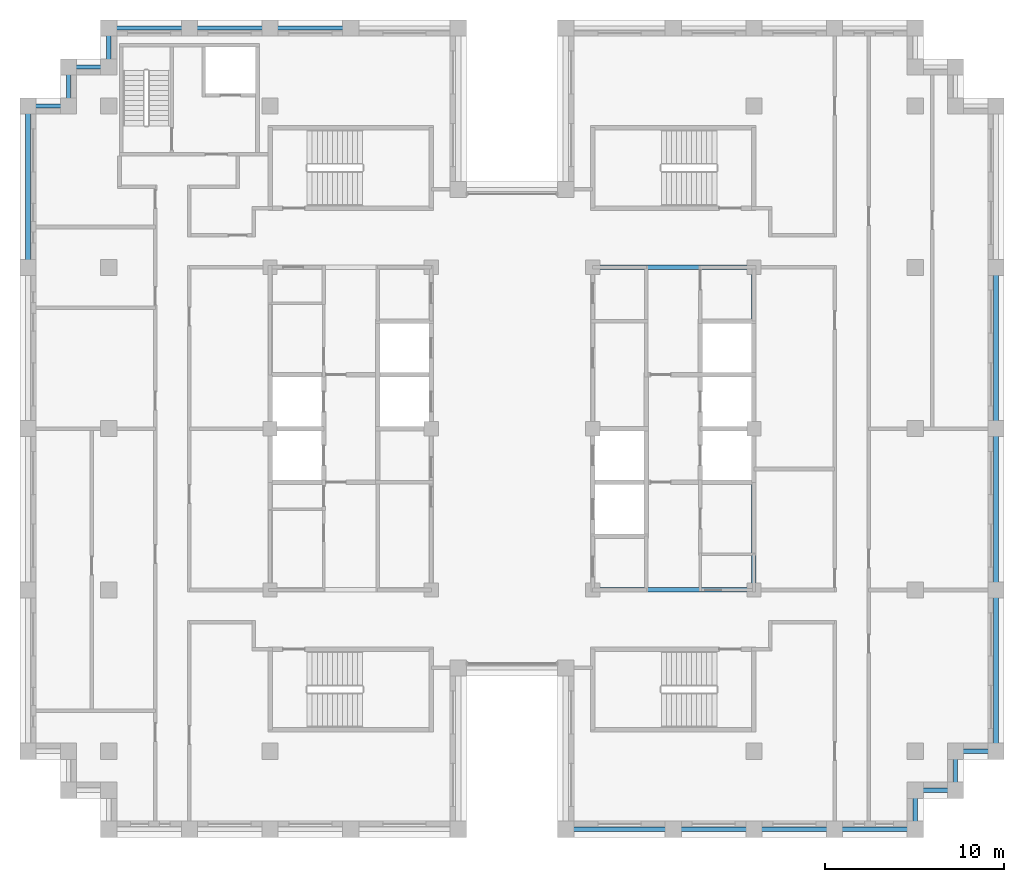
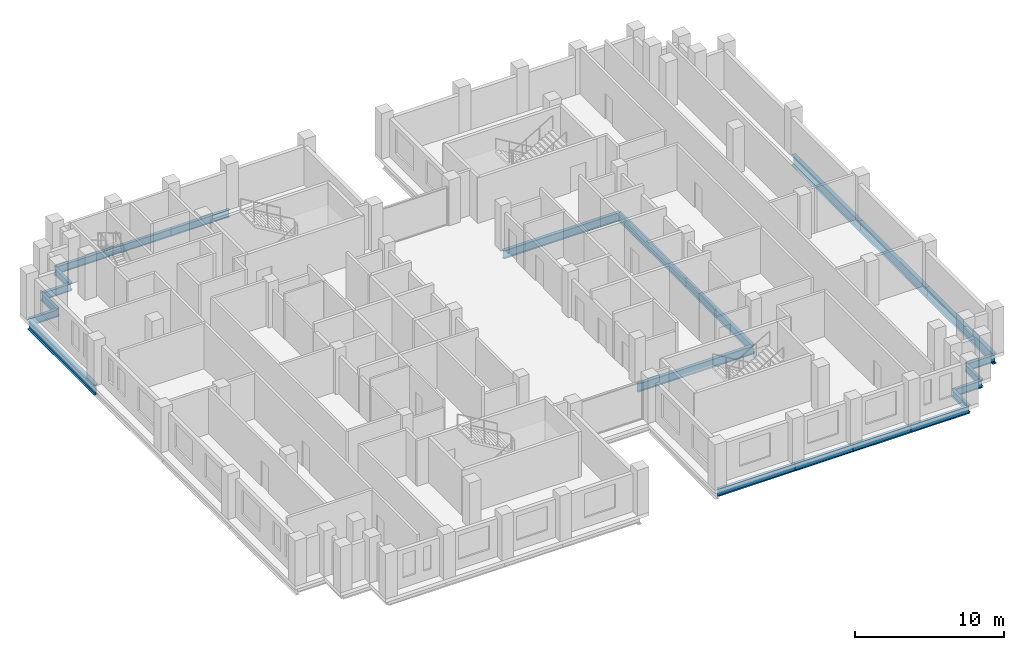
# One storey, part 3 of 13: 23 beams.
"""IFC4 building model written with IfcOpenShell, lengths in metres."""

import ifcopenshell
import ifcopenshell.guid

model = None  # the IFC model being written
_history = None  # IfcOwnerHistory: only IFC2X3 demands one
_inside = {}  # id of a spatial element -> (the spatial element, [elements in it])
_under = {}  # id of a project, library or spatial element -> (it, [spatial elements below it])
_declared = {}  # id of a project -> (the project, [libraries it declares])
_typed = {}  # id of a type object -> (the type object, [elements of that type])
_made_of = {}  # id of a material, layer set ... -> (it, [elements and type objects made of it])


def new_model(schema):
    """Start an empty IFC model of exactly this schema.

    Asked for "IFC4X3", IfcOpenShell would pick the latest addendum, in which some entities
    have other attributes; the version numbers below select the first issue.
    IFC2X3 requires an IfcOwnerHistory on every rooted entity: one is made here for all.
    """
    global model, _history
    if schema == "IFC4X3":
        model = ifcopenshell.file(schema_version=(4, 3, 0, 0))
    else:
        model = ifcopenshell.file(schema=schema)
    _inside.clear()
    _under.clear()
    _declared.clear()
    _typed.clear()
    _made_of.clear()
    _history = None
    if model.schema == "IFC2X3":
        org = make("IfcOrganization", Name="unknown")
        user = make(
            "IfcPersonAndOrganization",
            ThePerson=make("IfcPerson", FamilyName="unknown"),
            TheOrganization=org,
        )
        app = make(
            "IfcApplication",
            ApplicationDeveloper=org,
            Version="unknown",
            ApplicationFullName="unknown",
            ApplicationIdentifier="unknown",
        )
        _history = make(
            "IfcOwnerHistory",
            OwningUser=user,
            OwningApplication=app,
            ChangeAction="ADDED",
            CreationDate=0,
        )
    return model


def make(cls, **values):
    """One entity of the class cls with the attributes given. An attribute that is None is left unset."""
    return model.create_entity(
        cls, **{name: value for name, value in values.items() if value is not None}
    )


def rooted(cls, **values):
    """An entity with a GlobalId (a new one), such as an element, a storey or a relation."""
    return make(cls, GlobalId=ifcopenshell.guid.new(), OwnerHistory=_history, **values)


def si_unit(unit_type, name, prefix=None):
    """IfcSIUnit, for example si_unit("LENGTHUNIT", "METRE", prefix="MILLI")."""
    return make("IfcSIUnit", UnitType=unit_type, Prefix=prefix, Name=name)


def assignment(units):
    """IfcUnitAssignment: the units of a project."""
    return None if units is None else make("IfcUnitAssignment", Units=units)


def point(xyz):
    """IfcCartesianPoint."""
    return None if xyz is None else make("IfcCartesianPoint", Coordinates=xyz)


def direction(xyz):
    """IfcDirection."""
    return None if xyz is None else make("IfcDirection", DirectionRatios=xyz)


def frame(location, z_axis=None, x_axis=None):
    """IfcAxis2Placement3D, a coordinate frame: its origin and axes. An axis left out is left unset."""
    return make(
        "IfcAxis2Placement3D",
        Location=point(location),
        Axis=direction(z_axis),
        RefDirection=direction(x_axis),
    )


def frame_2d(location, x_axis=None):
    """IfcAxis2Placement2D, a coordinate frame in the plane: its origin and x axis."""
    return make(
        "IfcAxis2Placement2D", Location=point(location), RefDirection=direction(x_axis)
    )


def origin():
    """The frame at (0, 0, 0) with its axes left unset."""
    return frame((0.0, 0.0, 0.0))


def origin_2d():
    """The frame at (0, 0) in the plane with its x axis left unset."""
    return frame_2d((0.0, 0.0))


def place(relative_to, where):
    """IfcLocalPlacement: puts the frame where relative to a parent placement (None: the world)."""
    return make(
        "IfcLocalPlacement", PlacementRelTo=relative_to, RelativePlacement=where
    )


def context(
    kind, dimensions, precision=None, world=None, true_north=None, identifier=None
):
    """IfcGeometricRepresentationContext, for example the 3D "Model" context."""
    return make(
        "IfcGeometricRepresentationContext",
        ContextIdentifier=identifier,
        ContextType=kind,
        CoordinateSpaceDimension=dimensions,
        Precision=precision,
        WorldCoordinateSystem=world,
        TrueNorth=true_north,
    )


def subcontext(parent, identifier, kind, view, scale=None):
    """IfcGeometricRepresentationSubContext, for example "Body" below "Model"."""
    return make(
        "IfcGeometricRepresentationSubContext",
        ContextIdentifier=identifier,
        ContextType=kind,
        ParentContext=parent,
        TargetScale=scale,
        TargetView=view,
    )


def project(units=None, contexts=None):
    """IfcProject with its units and contexts."""
    return rooted(
        "IfcProject",
        Name="project",
        RepresentationContexts=contexts,
        UnitsInContext=assignment(units),
    )


def spatial(cls, under=None, at=None, **own):
    """A site, building, storey or space (cls), placed at a placement, below another one or the project."""
    s = rooted(cls, ObjectPlacement=at, **own)
    if under is not None:
        _under.setdefault(under.id(), (under, []))[1].append(s)
    return s


def profile(cls, at=None, kind="AREA", **sizes):
    """A parametric profile (cls). Its sizes go by their IFC names, for example OverallWidth=200.0."""
    return make(cls, ProfileType=kind, Position=at, **sizes)


def i_section(**sizes):
    """IfcIShapeProfileDef."""
    return profile("IfcIShapeProfileDef", **sizes)


def extrude(swept, where, along, depth):
    """IfcExtrudedAreaSolid: the profile swept, set in the frame where, extruded along a direction by depth."""
    return make(
        "IfcExtrudedAreaSolid",
        SweptArea=swept,
        Position=where,
        ExtrudedDirection=direction(along),
        Depth=depth,
    )


def shape(context_of_items, identifier, shape_type, items):
    """IfcShapeRepresentation: the items that make up one representation, for example the "Body"."""
    return make(
        "IfcShapeRepresentation",
        ContextOfItems=context_of_items,
        RepresentationIdentifier=identifier,
        RepresentationType=shape_type,
        Items=items,
    )


def material(Name=None, Category=None):
    """IfcMaterial."""
    return make("IfcMaterial", Name=Name, Category=Category)


def material_profile(
    of_material, cross_section, Name=None, Category=None, Priority=None
):
    """IfcMaterialProfile: a cross section and its material."""
    return make(
        "IfcMaterialProfile",
        Name=Name,
        Material=of_material,
        Profile=cross_section,
        Priority=Priority,
        Category=Category,
    )


def profile_set(profiles, Name=None, composite=None):
    """IfcMaterialProfileSet."""
    return make(
        "IfcMaterialProfileSet",
        Name=Name,
        MaterialProfiles=profiles,
        CompositeProfile=composite,
    )


def made_of(thing, what):
    """Note that an element or type object is made of a material, layer set ...; save() writes the relation."""
    if what is not None:
        _made_of.setdefault(what.id(), (what, []))[1].append(thing)
    return thing


def type_object(cls, material=None, **own):
    """A type object (cls), such as IfcWallType, which elements share."""
    return made_of(rooted(cls, **own), material)


def element(
    cls,
    number,
    at=None,
    inside=None,
    cuts=None,
    type_object=None,
    material=None,
    context=None,
    identifier="Body",
    shape_type=None,
    held_by="IfcProductDefinitionShape",
    body=None,
    shapes=None,
    **own,
):
    """One element of the class cls, such as IfcWall. Its Tag is "e" and its number.

    at: its placement. inside: the storey or other place that contains it. cuts: it is an
    opening in that element (IfcRelVoidsElement). A single representation is given by context,
    identifier, shape_type and body (its items); several are given by shapes. held_by: the class
    of the entity that holds the representations. save() writes the other relations.
    """
    e = rooted(cls, Tag="e%d" % number, ObjectPlacement=at, **own)
    if body is not None:
        shapes = [shape(context, identifier, shape_type, body)]
    if shapes is not None:
        e.Representation = make(held_by, Representations=shapes)
    if inside is not None:
        _inside.setdefault(inside.id(), (inside, []))[1].append(e)
    if cuts is not None:
        rooted(
            "IfcRelVoidsElement", RelatingBuildingElement=cuts, RelatedOpeningElement=e
        )
    if type_object is not None:
        _typed.setdefault(type_object.id(), (type_object, []))[1].append(e)
    return made_of(e, material)


def aggregate(whole, parts):
    """IfcRelAggregates: a whole, such as a stair, and the parts it consists of."""
    return rooted("IfcRelAggregates", RelatingObject=whole, RelatedObjects=parts)


def save(model, path):
    """Write the relations noted so far, then the file.

    IfcRelAggregates (storeys below a building ...), IfcRelContainedInSpatialStructure (elements
    in a storey), IfcRelDefinesByType, IfcRelAssociatesMaterial and IfcRelDeclares: one each for
    every whole, place, type object, material and project.
    """
    for whole, parts in _under.values():
        aggregate(whole, parts)
    for where, things in _inside.values():
        rooted(
            "IfcRelContainedInSpatialStructure",
            RelatedElements=things,
            RelatingStructure=where,
        )
    for kind, things in _typed.values():
        rooted("IfcRelDefinesByType", RelatedObjects=things, RelatingType=kind)
    for what, things in _made_of.values():
        rooted("IfcRelAssociatesMaterial", RelatedObjects=things, RelatingMaterial=what)
    for by, libraries in _declared.values():
        rooted("IfcRelDeclares", RelatingContext=by, RelatedDefinitions=libraries)
    model.write(path)


model = new_model("IFC4")

# Units and contexts
model_context = context("Model", 3, precision=1e-05, world=origin(), true_north=direction((0.0, 1.0)))
body_context = subcontext(model_context, "Body", "Model", "MODEL_VIEW")
ifc_project = project(units=[si_unit("LENGTHUNIT", "METRE"), si_unit("AREAUNIT", "SQUARE_METRE"), si_unit("VOLUMEUNIT", "CUBIC_METRE"), si_unit("PLANEANGLEUNIT", "RADIAN"), si_unit("MASSUNIT", "GRAM", prefix="KILO")], contexts=[model_context])

# Site, building, storey
site_placement = place(None, origin())
site = spatial("IfcSite", under=ifc_project, at=site_placement, CompositionType="ELEMENT")
building_placement = place(site_placement, origin())
building = spatial("IfcBuilding", under=site, at=building_placement, Name="Corbelhall Arena Tower", CompositionType="ELEMENT")
storey_placement = place(building_placement, frame((0.0, 0.0, 270.0)))
storey = spatial("IfcBuildingStorey", under=building, at=storey_placement, Name="L58", CompositionType="ELEMENT", Elevation=270.0)

# Beams
ifc_material = material(Name="Steel ASTM A992 Gr50", Category="steel")
ifc_material_profile_1 = material_profile(ifc_material, i_section(OverallWidth=0.25390625, OverallDepth=0.67822265625, WebThickness=0.01171875, FlangeThickness=0.016357421875, at=origin_2d()))
ifc_profile_set_1 = profile_set([ifc_material_profile_1], Name="Steel ASTM A992 Gr50")
beam_type_1 = type_object("IfcBeamType", Name="ST-BEAM-W27x84", PredefinedType="BEAM", material=ifc_profile_set_1)
for number, where, z_axis, x_axis, name in (
    (1, (13.5, -9.0, -0.619140625), (0.0, 1.0, 0.0), (-1.0, 0.0, 0.0), "Beam CEE 9"),
    (2, (13.5, 0.0, -0.619140625), (0.0, 1.0, 0.0), (-1.0, 0.0, 0.0), "Beam CEE 10"),
    (3, (4.5, -9.0, -0.619140625), (1.0, 0.0, 0.0), (0.0, 1.0, 0.0), "Beam CEE 11"),
    (4, (4.5, 9.0, -0.619140625), (1.0, 0.0, 0.0), (0.0, 1.0, 0.0), "Beam CEE 12"),
):
    element("IfcBeam", number, at=place(storey_placement, frame(where, z_axis=z_axis, x_axis=x_axis)), inside=storey, type_object=beam_type_1, Name=name, PredefinedType="BEAM", context=body_context, shape_type="SweptSolid", body=[
        extrude(i_section(OverallWidth=0.25390625, OverallDepth=0.67822265625, WebThickness=0.01171875, FlangeThickness=0.016357421875, at=origin_2d()), origin(), (0.0, 0.0, 1.0), 9.0),
    ])
ifc_material_profile_2 = material_profile(ifc_material, i_section(OverallWidth=0.227783203125, OverallDepth=0.60205078125, WebThickness=0.010498046875, FlangeThickness=0.014892578125, at=origin_2d()))
ifc_profile_set_2 = profile_set([ifc_material_profile_2], Name="Steel ASTM A992 Gr50")
beam_type_2 = type_object("IfcBeamType", Name="ST-SPANDREL-W24x68", PredefinedType="SPANDREL", material=ifc_profile_set_2)
beam_1_placement = place(storey_placement, frame((27.0, -18.0, -0.5810546875), z_axis=(-1.0, 0.0, 0.0), x_axis=(0.0, -1.0, 0.0)))
element("IfcBeam", 5, at=beam_1_placement, inside=storey, type_object=beam_type_2, Name="Beam SP 5", PredefinedType="SPANDREL", context=body_context, shape_type="SweptSolid", body=[
    extrude(i_section(OverallWidth=0.227783203125, OverallDepth=0.60205078125, WebThickness=0.010498046875, FlangeThickness=0.014892578125, at=origin_2d()), origin(), (0.0, 0.0, 1.0), 2.25),
])
for number, where, z_axis, x_axis, name in (
    (6, (-13.5, 22.35009765625, -0.5810546875), (1.0, 0.0, 0.0), (0.0, 1.0, 0.0), "Beam SP 13"),
    (7, (-18.0, 22.35009765625, -0.5810546875), (1.0, 0.0, 0.0), (0.0, 1.0, 0.0), "Beam SP 14"),
    (8, (-22.5, 22.35009765625, -0.5810546875), (1.0, 0.0, 0.0), (0.0, 1.0, 0.0), "Beam SP 15"),
):
    element("IfcBeam", number, at=place(storey_placement, frame(where, z_axis=z_axis, x_axis=x_axis)), inside=storey, type_object=beam_type_2, Name=name, PredefinedType="SPANDREL", context=body_context, shape_type="SweptSolid", body=[
        extrude(i_section(OverallWidth=0.227783203125, OverallDepth=0.60205078125, WebThickness=0.010498046875, FlangeThickness=0.014892578125, at=origin_2d()), origin(), (0.0, 0.0, 1.0), 4.5),
    ])
beam_2_placement = place(storey_placement, frame((9.0, -22.35009765625, -0.5810546875), z_axis=(-1.0, 0.0, 0.0), x_axis=(0.0, -1.0, 0.0)))
element("IfcBeam", 9, at=beam_2_placement, inside=storey, type_object=beam_type_2, Name="Beam SP 17", PredefinedType="SPANDREL", context=body_context, shape_type="SweptSolid", body=[
    extrude(i_section(OverallWidth=0.227783203125, OverallDepth=0.60205078125, WebThickness=0.010498046875, FlangeThickness=0.014892578125, at=origin_2d()), origin(), (0.0, 0.0, 1.0), 6.0),
])
for number, where, z_axis, x_axis, name in (
    (10, (13.5, -22.35009765625, -0.5810546875), (-1.0, 0.0, 0.0), (0.0, -1.0, 0.0), "Beam SP 18"),
    (11, (18.0, -22.35009765625, -0.5810546875), (-1.0, 0.0, 0.0), (0.0, -1.0, 0.0), "Beam SP 19"),
    (12, (22.5, -22.35009765625, -0.5810546875), (-1.0, 0.0, 0.0), (0.0, -1.0, 0.0), "Beam SP 20"),
):
    element("IfcBeam", number, at=place(storey_placement, frame(where, z_axis=z_axis, x_axis=x_axis)), inside=storey, type_object=beam_type_2, Name=name, PredefinedType="SPANDREL", context=body_context, shape_type="SweptSolid", body=[
        extrude(i_section(OverallWidth=0.227783203125, OverallDepth=0.60205078125, WebThickness=0.010498046875, FlangeThickness=0.014892578125, at=origin_2d()), origin(), (0.0, 0.0, 1.0), 4.5),
    ])
beam_3_placement = place(storey_placement, frame((-27.0, 18.0, -0.5810546875), z_axis=(1.0, 0.0, 0.0), x_axis=(0.0, 1.0, 0.0)))
element("IfcBeam", 13, at=beam_3_placement, inside=storey, type_object=beam_type_2, Name="Beam SP 28", PredefinedType="SPANDREL", context=body_context, shape_type="SweptSolid", body=[
    extrude(i_section(OverallWidth=0.227783203125, OverallDepth=0.60205078125, WebThickness=0.010498046875, FlangeThickness=0.014892578125, at=origin_2d()), origin(), (0.0, 0.0, 1.0), 2.25),
])
beam_4_placement = place(storey_placement, frame((-22.5, 20.175048828125, -0.5810546875), z_axis=(0.0, 1.0, 0.0), x_axis=(-1.0, 0.0, 0.0)))
element("IfcBeam", 14, at=beam_4_placement, inside=storey, type_object=beam_type_2, Name="Beam SP 38", PredefinedType="SPANDREL", context=body_context, shape_type="SweptSolid", body=[
    extrude(i_section(OverallWidth=0.227783203125, OverallDepth=0.60205078125, WebThickness=0.010498046875, FlangeThickness=0.014892578125, at=origin_2d()), origin(), (0.0, 0.0, 1.0), 2.175048828125),
])
beam_5_placement = place(storey_placement, frame((-24.75, 20.175048828125, -0.5810546875), z_axis=(1.0, 0.0, 0.0), x_axis=(0.0, 1.0, 0.0)))
element("IfcBeam", 15, at=beam_5_placement, inside=storey, type_object=beam_type_2, Name="Beam SP 39", PredefinedType="SPANDREL", context=body_context, shape_type="SweptSolid", body=[
    extrude(i_section(OverallWidth=0.227783203125, OverallDepth=0.60205078125, WebThickness=0.010498046875, FlangeThickness=0.014892578125, at=origin_2d()), origin(), (0.0, 0.0, 1.0), 2.25),
])
for number, where, z_axis, x_axis, name in (
    (16, (-24.75, 18.0, -0.5810546875), (0.0, 1.0, 0.0), (-1.0, 0.0, 0.0), "Beam SP 40"),
    (17, (22.5, -20.175048828125, -0.5810546875), (0.0, -1.0, 0.0), (1.0, 0.0, 0.0), "Beam SP 41"),
):
    element("IfcBeam", number, at=place(storey_placement, frame(where, z_axis=z_axis, x_axis=x_axis)), inside=storey, type_object=beam_type_2, Name=name, PredefinedType="SPANDREL", context=body_context, shape_type="SweptSolid", body=[
        extrude(i_section(OverallWidth=0.227783203125, OverallDepth=0.60205078125, WebThickness=0.010498046875, FlangeThickness=0.014892578125, at=origin_2d()), origin(), (0.0, 0.0, 1.0), 2.175048828125),
    ])
beam_6_placement = place(storey_placement, frame((24.75, -20.175048828125, -0.5810546875), z_axis=(-1.0, 0.0, 0.0), x_axis=(0.0, -1.0, 0.0)))
element("IfcBeam", 18, at=beam_6_placement, inside=storey, type_object=beam_type_2, Name="Beam SP 42", PredefinedType="SPANDREL", context=body_context, shape_type="SweptSolid", body=[
    extrude(i_section(OverallWidth=0.227783203125, OverallDepth=0.60205078125, WebThickness=0.010498046875, FlangeThickness=0.014892578125, at=origin_2d()), origin(), (0.0, 0.0, 1.0), 2.25),
])
beam_7_placement = place(storey_placement, frame((24.75, -18.0, -0.5810546875), z_axis=(0.0, -1.0, 0.0), x_axis=(1.0, 0.0, 0.0)))
element("IfcBeam", 19, at=beam_7_placement, inside=storey, type_object=beam_type_2, Name="Beam SP 43", PredefinedType="SPANDREL", context=body_context, shape_type="SweptSolid", body=[
    extrude(i_section(OverallWidth=0.227783203125, OverallDepth=0.60205078125, WebThickness=0.010498046875, FlangeThickness=0.014892578125, at=origin_2d()), origin(), (0.0, 0.0, 1.0), 2.175048828125),
])
ifc_material_profile_3 = material_profile(ifc_material, i_section(OverallWidth=0.2919921875, OverallDepth=0.845703125, WebThickness=0.015380859375, FlangeThickness=0.0244140625, at=origin_2d()))
ifc_profile_set_3 = profile_set([ifc_material_profile_3], Name="Steel ASTM A992 Gr50")
beam_type_3 = type_object("IfcBeamType", Name="ST-SPANDREL-W33x141", PredefinedType="SPANDREL", material=ifc_profile_set_3)
for number, where, z_axis, x_axis, name in (
    (20, (27.0, 0.0, -0.702880859375), (0.0, -1.0, 0.0), (1.0, 0.0, 0.0), "Beam SP 1"),
    (21, (27.0, 9.0, -0.702880859375), (0.0, -1.0, 0.0), (1.0, 0.0, 0.0), "Beam SP 2"),
    (22, (27.0, -9.0, -0.702880859375), (0.0, -1.0, 0.0), (1.0, 0.0, 0.0), "Beam SP 4"),
    (23, (-27.0, 9.0, -0.702880859375), (0.0, 1.0, 0.0), (-1.0, 0.0, 0.0), "Beam SP 27"),
):
    element("IfcBeam", number, at=place(storey_placement, frame(where, z_axis=z_axis, x_axis=x_axis)), inside=storey, type_object=beam_type_3, Name=name, PredefinedType="SPANDREL", context=body_context, shape_type="SweptSolid", body=[
        extrude(i_section(OverallWidth=0.2919921875, OverallDepth=0.845703125, WebThickness=0.015380859375, FlangeThickness=0.0244140625, at=origin_2d()), origin(), (0.0, 0.0, 1.0), 9.0),
    ])

save(model, "model.ifc")
